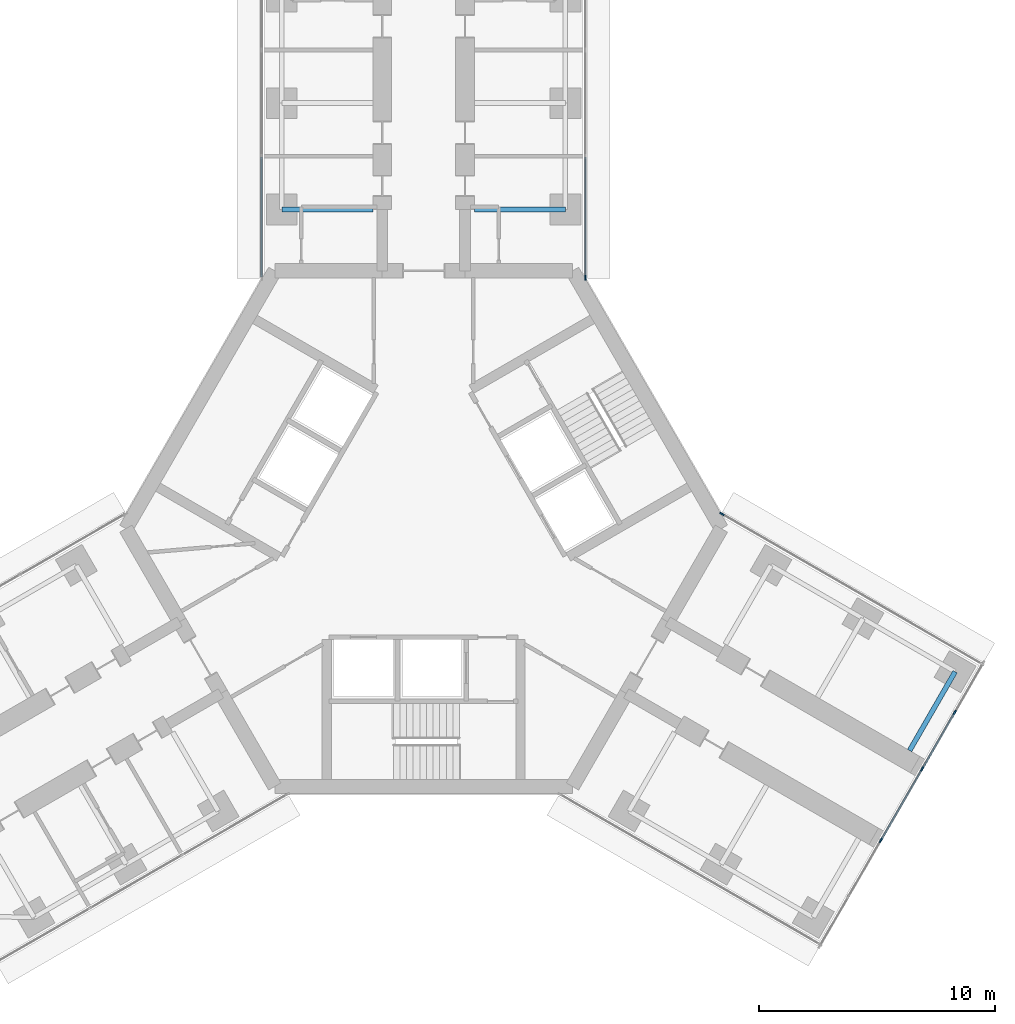
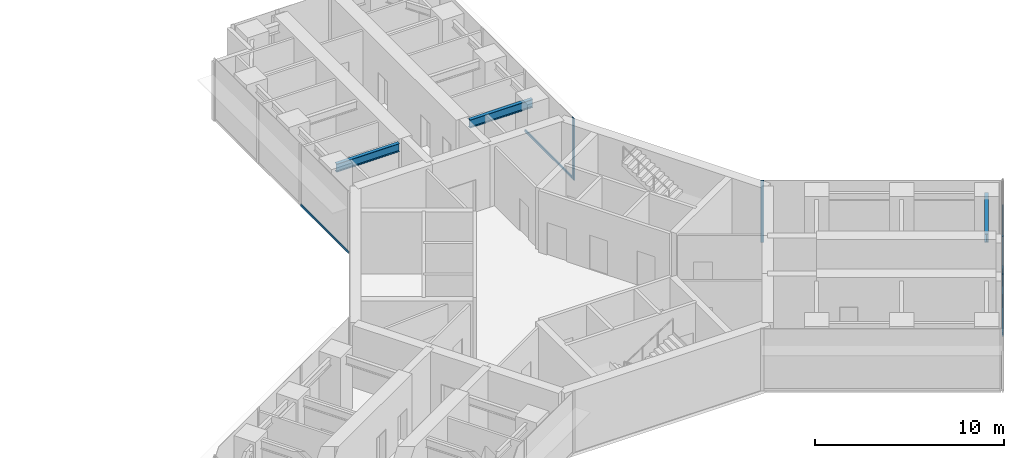
# One storey, part 10 of 22: 9 members, 3 beams, 4 elements without a shape of their own.
"""IFC4 building model written with IfcOpenShell, lengths in metres."""

from ifc_helpers import new_model, si_unit, direction, frame, origin, origin_2d, place, context, subcontext, project, spatial, rectangle, i_section, extrude, material, material_profile, profile_set, type_object, element, aggregate, save


model = new_model("IFC4")

# Units and contexts
model_context = context("Model", 3, precision=1e-05, world=origin(), true_north=direction((0.0, 1.0)))
body_context = subcontext(model_context, "Body", "Model", "MODEL_VIEW")
ifc_project = project(units=[si_unit("LENGTHUNIT", "METRE"), si_unit("AREAUNIT", "SQUARE_METRE"), si_unit("VOLUMEUNIT", "CUBIC_METRE"), si_unit("PLANEANGLEUNIT", "RADIAN"), si_unit("MASSUNIT", "GRAM", prefix="KILO")], contexts=[model_context])

# Site, building, storey
site_placement = place(None, origin())
site = spatial("IfcSite", under=ifc_project, at=site_placement, CompositionType="ELEMENT")
building_placement = place(site_placement, origin())
building = spatial("IfcBuilding", under=site, at=building_placement, Name="Upepo Twin Towers", CompositionType="ELEMENT")
storey_placement = place(building_placement, frame((0.0, 0.0, 141.5)))
storey = spatial("IfcBuildingStorey", under=building, at=storey_placement, Name="L34", CompositionType="ELEMENT", Elevation=141.5)

# Beams
ifc_material_1 = material(Name="Steel S355", Category="steel")
ifc_material_profile_1 = material_profile(ifc_material_1, i_section(OverallWidth=0.209228515625, OverallDepth=0.533203125, WebThickness=0.010009765625, FlangeThickness=0.015625, FilletRadius=0.0126953125, at=origin_2d()), Name="UB 533x210x92")
ifc_profile_set_1 = profile_set([ifc_material_profile_1], Name="Steel S355")
beam_type = type_object("IfcBeamType", Name="Beam UB 533x210x92", PredefinedType="BEAM", material=ifc_profile_set_1)
for number, where, z_axis, x_axis, name in (
    (1, (52.5, -4.5, 3.533447265625), (1.0, 0.0, 0.0), (0.0, 1.0, 0.0), "T2 girder AL at 13.5"),
    (2, (64.5, -4.5, 3.533447265625), (-1.0, 0.0, 0.0), (0.0, -1.0, 0.0), "T2 girder AR at 13.5"),
):
    element("IfcBeam", number, at=place(storey_placement, frame(where, z_axis=z_axis, x_axis=x_axis)), inside=storey, type_object=beam_type, Name=name, PredefinedType="BEAM", context=body_context, shape_type="SweptSolid", body=[
        extrude(i_section(OverallWidth=0.209228515625, OverallDepth=0.533203125, WebThickness=0.010009765625, FlangeThickness=0.015625, FilletRadius=0.0126953125, at=origin_2d()), origin(), (0.0, 0.0, 1.0), 3.85009765625),
    ])
beam_placement = place(storey_placement, frame((80.985595703125, -24.053955078125, 3.533447265625), z_axis=(-0.500033517596, -0.866006051527, 0.0), x_axis=(0.866006051527, -0.500033517596, 0.0)))
element("IfcBeam", 3, at=beam_placement, inside=storey, type_object=beam_type, Name="T2 girder CL at 22.5", PredefinedType="BEAM", context=body_context, shape_type="SweptSolid", body=[
    extrude(i_section(OverallWidth=0.209228515625, OverallDepth=0.533203125, WebThickness=0.010009765625, FlangeThickness=0.015625, FilletRadius=0.0126953125, at=origin_2d()), origin(), (0.0, 0.0, 1.0), 3.849853515625),
])

# Curtain wall, member
ifc_material_2 = material(Name="Aluminium and fritted glass", Category="aluminium")
curtain_wall_type = type_object("IfcCurtainWallType", Name="Tower curtain wall TW2, fritted glass", PredefinedType="NOTDEFINED", material=ifc_material_2)
curtain_wall_1_placement = place(storey_placement, origin())
curtain_wall_1 = element("IfcCurtainWall", 4, at=curtain_wall_1_placement, inside=storey, type_object=curtain_wall_type, Name="T2 L34 wing A flank R curtain wall", PredefinedType="NOTDEFINED")
ifc_material_3 = material(Name="Aluminium mullion", Category="aluminium")
ifc_material_profile_2 = material_profile(ifc_material_3, rectangle(XDim=0.06494140625, YDim=0.199951171875, at=origin_2d()), Name="MULLION 65x200")
ifc_profile_set_2 = profile_set([ifc_material_profile_2], Name="Aluminium mullion")
member_type_1 = type_object("IfcMemberType", Name="Mullion 65x200 TW2", PredefinedType="MULLION", material=ifc_profile_set_2)
member_1_placement = place(storey_placement, frame((65.35009765625, -7.38037109375, 0.0), z_axis=(0.0, 0.0, 1.0), x_axis=(1.0, 0.0, 0.0)))
member_1 = element("IfcMember", 5, at=member_1_placement, type_object=member_type_1, Name="T2 L34 wing A flank R curtain wall mullion 4", PredefinedType="MULLION", context=body_context, shape_type="SweptSolid", body=[
    extrude(rectangle(XDim=0.06494140625, YDim=0.199951171875, at=origin_2d()), origin(), (0.0, 0.0, 1.0), 4.0),
])

curtain_wall_2_placement = place(storey_placement, origin())
curtain_wall_2 = element("IfcCurtainWall", 6, at=curtain_wall_2_placement, inside=storey, type_object=curtain_wall_type, Name="T2 L34 wing C flank L curtain wall", PredefinedType="NOTDEFINED")
member_2_placement = place(storey_placement, frame((71.121826171875, -17.37744140625, 0.0), z_axis=(0.0, 0.0, 1.0), x_axis=(0.50000000792, 0.866025399212, 0.0)))
member_2 = element("IfcMember", 7, at=member_2_placement, type_object=member_type_1, Name="T2 L34 wing C flank L curtain wall mullion 1", PredefinedType="MULLION", context=body_context, shape_type="SweptSolid", body=[
    extrude(rectangle(XDim=0.06494140625, YDim=0.199951171875, at=origin_2d()), origin(), (0.0, 0.0, 1.0), 4.0),
])
aggregate(curtain_wall_2, [member_2])

# Curtain wall, members
curtain_wall_3_placement = place(storey_placement, origin())
curtain_wall_3 = element("IfcCurtainWall", 8, at=curtain_wall_3_placement, inside=storey, type_object=curtain_wall_type, Name="T2 L34 wing C nose curtain wall", PredefinedType="NOTDEFINED")
member_3_placement = place(storey_placement, frame((77.8466796875, -31.1904296875, 0.0), z_axis=(0.0, 0.0, 1.0), x_axis=(-0.866025419745, 0.499999972355, 0.0)))
member_3 = element("IfcMember", 9, at=member_3_placement, type_object=member_type_1, Name="T2 L34 wing C nose curtain wall mullion 3", PredefinedType="MULLION", context=body_context, shape_type="SweptSolid", body=[
    extrude(rectangle(XDim=0.06494140625, YDim=0.199951171875, at=origin_2d()), origin(), (0.0, 0.0, 1.0), 4.0),
])
member_4_placement = place(storey_placement, frame((79.5966796875, -28.159423828125, 0.0), z_axis=(0.0, 0.0, 1.0), x_axis=(-0.866025419745, 0.499999972355, 0.0)))
member_4 = element("IfcMember", 10, at=member_4_placement, type_object=member_type_1, Name="T2 L34 wing C nose curtain wall mullion 4", PredefinedType="MULLION", context=body_context, shape_type="SweptSolid", body=[
    extrude(rectangle(XDim=0.06494140625, YDim=0.199951171875, at=origin_2d()), origin(), (0.0, 0.0, 1.0), 4.0),
])
member_5_placement = place(storey_placement, frame((80.9716796875, -25.77783203125, 0.0), z_axis=(0.0, 0.0, 1.0), x_axis=(-0.866025419745, 0.499999972355, 0.0)))
member_5 = element("IfcMember", 11, at=member_5_placement, type_object=member_type_1, Name="T2 L34 wing C nose curtain wall mullion 5", PredefinedType="MULLION", context=body_context, shape_type="SweptSolid", body=[
    extrude(rectangle(XDim=0.06494140625, YDim=0.199951171875, at=origin_2d()), origin(), (0.0, 0.0, 1.0), 4.0),
])

# Curtain wall, member
curtain_wall_4_placement = place(storey_placement, origin())
curtain_wall_4 = element("IfcCurtainWall", 12, at=curtain_wall_4_placement, inside=storey, type_object=curtain_wall_type, Name="T2 L34 wing A flank L curtain wall", PredefinedType="NOTDEFINED")
ifc_material_4 = material(Name="Aluminium transom", Category="aluminium")
ifc_material_profile_3 = material_profile(ifc_material_4, rectangle(XDim=0.06494140625, YDim=0.14990234375, at=origin_2d()), Name="TRANSOM 65x150")
ifc_profile_set_3 = profile_set([ifc_material_profile_3], Name="Aluminium transom")
member_type_2 = type_object("IfcMemberType", Name="Transom 65x150 TW2", PredefinedType="USERDEFINED", material=ifc_profile_set_3)
member_6_placement = place(storey_placement, frame((51.64990234375, -7.347900390625, 0.074951171875), z_axis=(0.0, 1.0, 0.0), x_axis=(-1.0, 0.0, 0.0)))
member_6 = element("IfcMember", 13, at=member_6_placement, type_object=member_type_2, Name="T2 L34 wing A flank L curtain wall transom 1", ObjectType="TRANSOM", PredefinedType="USERDEFINED", context=body_context, shape_type="SweptSolid", body=[
    extrude(rectangle(XDim=0.06494140625, YDim=0.14990234375, at=origin_2d()), origin(), (0.0, 0.0, 1.0), 5.0654296875),
])
aggregate(curtain_wall_4, [member_6])

# Member
member_7_placement = place(storey_placement, frame((65.35009765625, -2.282470703125, 0.074951171875), z_axis=(0.0, -1.0, 0.0), x_axis=(1.0, 0.0, 0.0)))
member_7 = element("IfcMember", 14, at=member_7_placement, type_object=member_type_2, Name="T2 L34 wing A flank R curtain wall transom 3", ObjectType="TRANSOM", PredefinedType="USERDEFINED", context=body_context, shape_type="SweptSolid", body=[
    extrude(rectangle(XDim=0.06494140625, YDim=0.14990234375, at=origin_2d()), origin(), (0.0, 0.0, 1.0), 5.0654296875),
])

aggregate(curtain_wall_1, [member_1, member_7])

member_8_placement = place(storey_placement, frame((77.863037109375, -31.162353515625, 0.074951171875), z_axis=(0.499945997713, 0.866056579774, 0.0), x_axis=(-0.866056579774, 0.499945997713, 0.0)))
member_8 = element("IfcMember", 15, at=member_8_placement, type_object=member_type_2, Name="T2 L34 wing C nose curtain wall transom 3", ObjectType="TRANSOM", PredefinedType="USERDEFINED", context=body_context, shape_type="SweptSolid", body=[
    extrude(rectangle(XDim=0.06494140625, YDim=0.14990234375, at=origin_2d()), origin(), (0.0, 0.0, 1.0), 3.43505859375),
])

member_9_placement = place(storey_placement, frame((79.613037109375, -28.13134765625, 0.074951171875), z_axis=(0.49995335277, 0.8660523339, 0.0), x_axis=(-0.8660523339, 0.49995335277, 0.0)))
member_9 = element("IfcMember", 16, at=member_9_placement, type_object=member_type_2, Name="T2 L34 wing C nose curtain wall transom 4", ObjectType="TRANSOM", PredefinedType="USERDEFINED", context=body_context, shape_type="SweptSolid", body=[
    extrude(rectangle(XDim=0.06494140625, YDim=0.14990234375, at=origin_2d()), origin(), (0.0, 0.0, 1.0), 2.684814453125),
])

aggregate(curtain_wall_3, [member_3, member_4, member_5, member_8, member_9])

save(model, "model.ifc")
